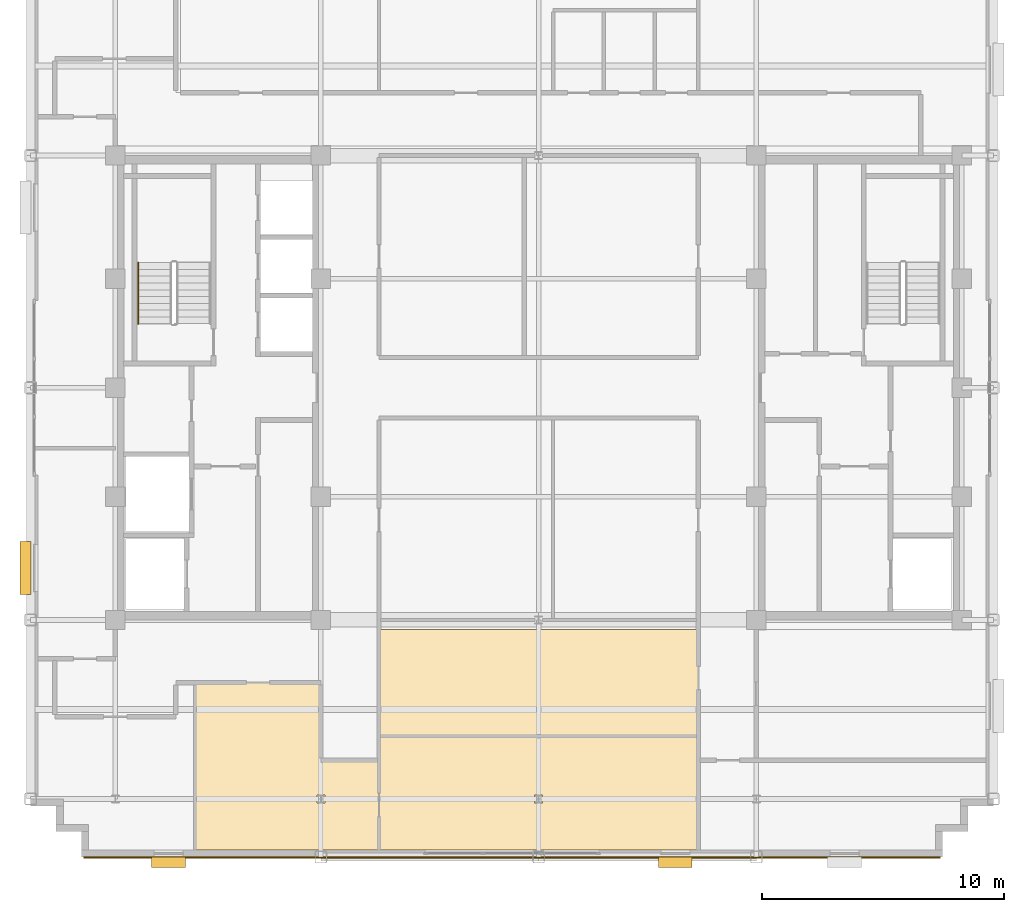
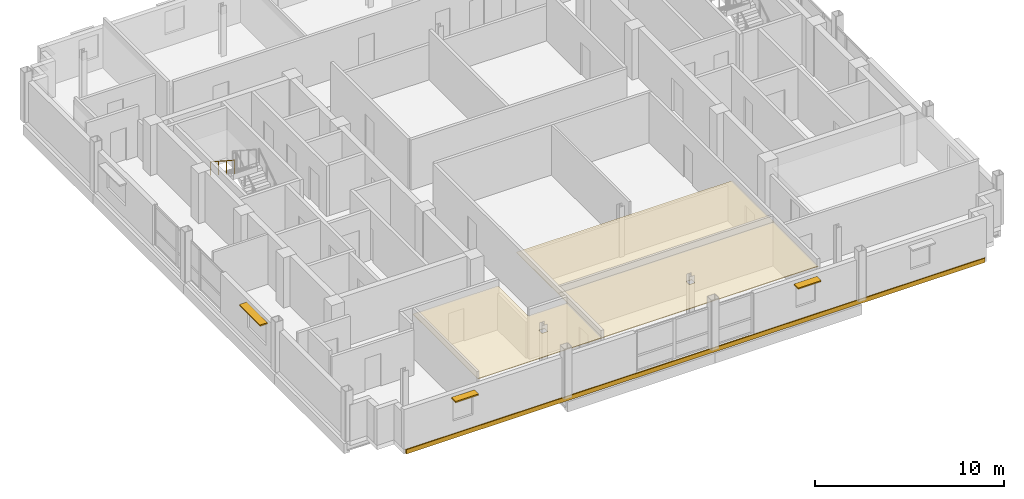
# One storey, part 12 of 16: 4 coverings, 3 shading devices, 1 railing.
"""IFC4 building model written with IfcOpenShell, lengths in metres."""

from ifc_helpers import new_model, si_unit, direction, frame, origin, origin_2d, place, context, subcontext, project, spatial, polyline, rectangle, circle, outline, extrude, source, transform, mapped, material, layer, layer_set, type_object, type_shapes, element, save


model = new_model("IFC4")

# Units and contexts
model_context = context("Model", 3, precision=1e-05, world=origin(), true_north=direction((0.0, 1.0)))
body_context = subcontext(model_context, "Body", "Model", "MODEL_VIEW")
ifc_project = project(units=[si_unit("LENGTHUNIT", "METRE"), si_unit("AREAUNIT", "SQUARE_METRE"), si_unit("VOLUMEUNIT", "CUBIC_METRE"), si_unit("PLANEANGLEUNIT", "RADIAN"), si_unit("MASSUNIT", "GRAM", prefix="KILO")], contexts=[model_context])

# Site, building, storey
site_placement = place(None, origin())
site = spatial("IfcSite", under=ifc_project, at=site_placement, CompositionType="ELEMENT")
building_placement = place(site_placement, origin())
building = spatial("IfcBuilding", under=site, at=building_placement, Name="Nuvemarco Arch Tower", CompositionType="ELEMENT")
storey_placement = place(building_placement, frame((0.0, 0.0, 249.300048828125)))
storey = spatial("IfcBuildingStorey", under=building, at=storey_placement, Name="L66", CompositionType="ELEMENT", Elevation=249.300048828125)

# Coverings
ifc_material_1 = material(Name="Mineral acoustic ceiling tile")
ifc_layer_1 = layer(ifc_material_1, 0.0400390625, Name="COV-ACOUSTIC-CLG")
ifc_layer_set_1 = layer_set([ifc_layer_1], Name="Mineral acoustic ceiling tile")
covering_type_1 = type_object("IfcCoveringType", Name="COV-ACOUSTIC-CLG", PredefinedType="CEILING", material=ifc_layer_set_1)
covering_1_placement = place(storey_placement, frame((0.0, 0.0, 2.72998046875)))
element("IfcCovering", 1, at=covering_1_placement, inside=storey, type_object=covering_type_1, Name="L66 suspended acoustic ceiling 3", PredefinedType="CEILING", context=body_context, shape_type="SweptSolid", body=[
    extrude(outline(polyline([(6.60009765625, -14.39990234375), (-6.60009765625, -14.39990234375), (-6.60009765625, -12.199951171875), (-6.60009765625, -10.0), (6.60009765625, -10.0), (6.60009765625, -14.39990234375)])), origin(), (0.0, 0.0, 1.0), 0.0400390625),
])
covering_2_placement = place(storey_placement, frame((0.0, 0.0, 2.72998046875)))
element("IfcCovering", 2, at=covering_2_placement, inside=storey, type_object=covering_type_1, Name="L66 suspended acoustic ceiling 4", PredefinedType="CEILING", context=body_context, shape_type="SweptSolid", body=[
    extrude(outline(polyline([(6.60009765625, -15.39990234375), (6.60009765625, -19.10009765625), (-6.60009765625, -19.10009765625), (-6.60009765625, -15.39990234375), (-6.60009765625, -14.39990234375), (6.60009765625, -14.39990234375), (6.60009765625, -15.39990234375)]), holes=[polyline([(0.169921875, -17.169921875), (0.169921875, -16.830078125), (-0.169921875, -16.830078125), (-0.169921875, -17.169921875), (0.169921875, -17.169921875)])]), origin(), (0.0, 0.0, 1.0), 0.0400390625),
])
covering_3_placement = place(storey_placement, frame((0.0, 0.0, 2.72998046875)))
element("IfcCovering", 3, at=covering_3_placement, inside=storey, type_object=covering_type_1, Name="L66 suspended acoustic ceiling 7", PredefinedType="CEILING", context=body_context, shape_type="SweptSolid", body=[
    extrude(outline(polyline([(-6.60009765625, -15.39990234375), (-6.60009765625, -19.10009765625), (-14.199951171875, -19.10009765625), (-14.199951171875, -12.199951171875), (-9.0, -12.199951171875), (-9.0, -15.39990234375), (-6.60009765625, -15.39990234375)]), holes=[polyline([(-8.830078125, -16.830078125), (-9.169921875, -16.830078125), (-9.169921875, -17.169921875), (-8.830078125, -17.169921875), (-8.830078125, -16.830078125)])]), origin(), (0.0, 0.0, 1.0), 0.0400390625),
])

# Railing
ifc_material_2 = material(Name="Brushed stainless steel handrail", Category="steel")
railing_type = type_object("IfcRailingType", Name="RL-HANDRAIL-900", PredefinedType="HANDRAIL", material=ifc_material_2)
railing_placement = place(storey_placement, frame((-16.550048828125, 5.169921875, 2.007568359375)))
element("IfcRailing", 4, at=railing_placement, inside=storey, type_object=railing_type, Name="L66 ST-1 stair handrail 2", PredefinedType="HANDRAIL", context=body_context, shape_type="SweptSolid", body=[
    extrude(circle(Radius=0.02392578125, at=origin_2d()), frame((0.0, 0.0, 0.8759765625), z_axis=(0.0, -0.837786554691, 0.545997883492), x_axis=(1.0, 0.0, 0.0)), (0.0, 0.0, 1.0), 3.008056640625),
    extrude(circle(Radius=0.02099609375, at=origin_2d()), origin(), (0.0, 0.0, 1.0), 0.851806640625),
    extrude(circle(Radius=0.02099609375, at=origin_2d()), frame((0.0, -0.840087890625, 0.54736328125)), (0.0, 0.0, 1.0), 0.851806640625),
    extrude(circle(Radius=0.02099609375, at=origin_2d()), frame((0.0, -1.679931640625, 1.094970703125)), (0.0, 0.0, 1.0), 0.851806640625),
    extrude(circle(Radius=0.02099609375, at=origin_2d()), frame((0.0, -2.52001953125, 1.642333984375)), (0.0, 0.0, 1.0), 0.851806640625),
])

# Shading devices
ifc_material_3 = material(Name="Anodised aluminium 6063-T6", Category="aluminium")
shading_device_type_1 = type_object("IfcShadingDeviceType", Name="SHD-BRISE-SOLEIL", PredefinedType="USERDEFINED", material=ifc_material_3)
shared_shape_1 = source(origin(), body_context, "Body", "SweptSolid", [
    extrude(rectangle(XDim=2.199951171875, YDim=0.449951171875, at=origin_2d()), origin(), (0.0, 0.0, 1.0), 0.080078125),
])
type_shapes(shading_device_type_1, [shared_shape_1])
shading_device_placement = place(storey_placement, frame((-21.215087890625, -7.450927734375, 2.284912109375), z_axis=(0.0, 0.0, 1.0), x_axis=(0.0, 1.0, 0.0)))
element("IfcShadingDevice", 5, at=shading_device_placement, inside=storey, type_object=shading_device_type_1, Name="L66 horizontal brise-soleil sunshade", ObjectType="SUNSHADE", PredefinedType="USERDEFINED", context=body_context, shape_type="MappedRepresentation", body=[
    mapped(shared_shape_1, transform((0.0, 0.0, 0.0), scale=1.0)),
])
shading_device_type_2 = type_object("IfcShadingDeviceType", Name="SHD-BRISE-NARROW", PredefinedType="USERDEFINED", material=ifc_material_3)
shared_shape_2 = source(origin(), body_context, "Body", "SweptSolid", [
    extrude(rectangle(XDim=1.39990234375, YDim=0.449951171875, at=origin_2d()), origin(), (0.0, 0.0, 1.0), 0.080078125),
])
type_shapes(shading_device_type_2, [shared_shape_2])
for number, where, z_axis, x_axis, name in (
    (6, (-15.300048828125, -19.614990234375, 2.284912109375), (0.0, 0.0, 1.0), (1.0, 0.0, 0.0), "L66 horizontal brise-soleil sunshade"),
    (7, (5.64990234375, -19.614990234375, 2.284912109375), (0.0, 0.0, 1.0), (1.0, 0.0, 0.0), "L66 horizontal brise-soleil sunshade"),
):
    element("IfcShadingDevice", number, at=place(storey_placement, frame(where, z_axis=z_axis, x_axis=x_axis)), inside=storey, type_object=shading_device_type_2, Name=name, ObjectType="SUNSHADE", PredefinedType="USERDEFINED", context=body_context, shape_type="MappedRepresentation", body=[
        mapped(shared_shape_2, transform((0.0, 0.0, 0.0), scale=1.0)),
    ])

# Covering
ifc_material_4 = material(Name="Precast concrete C45/55", Category="concrete")
ifc_layer_2 = layer(ifc_material_4, 0.06005859375, Name="COV-SPANDREL-CLAD")
ifc_layer_set_2 = layer_set([ifc_layer_2], Name="Precast concrete C45/55")
covering_type_2 = type_object("IfcCoveringType", Name="COV-SPANDREL-CLAD", PredefinedType="CLADDING", material=ifc_layer_set_2)
shared_shape_3 = source(origin(), body_context, "Body", "SweptSolid", [
    extrude(rectangle(XDim=35.39990234375, YDim=0.06005859375, at=origin_2d()), origin(), (0.0, 0.0, 1.0), 0.280029296875),
])
type_shapes(covering_type_2, [shared_shape_3])
covering_4_placement = place(storey_placement, frame((-1.10009765625, -19.428955078125, -0.2802734375), z_axis=(0.0, 0.0, 1.0), x_axis=(1.0, 0.0, 0.0)))
element("IfcCovering", 8, at=covering_4_placement, inside=storey, type_object=covering_type_2, Name="L66 precast spandrel edge cladding south", PredefinedType="CLADDING", context=body_context, shape_type="MappedRepresentation", body=[
    mapped(shared_shape_3, transform((0.0, 0.0, 0.0), scale=1.0)),
])

save(model, "model.ifc")
